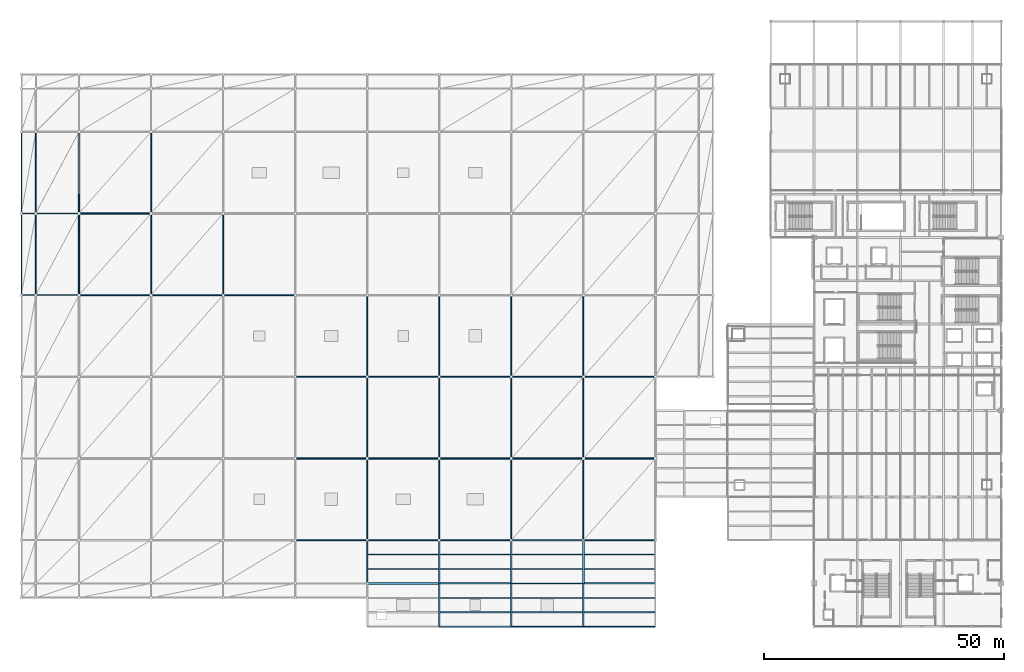
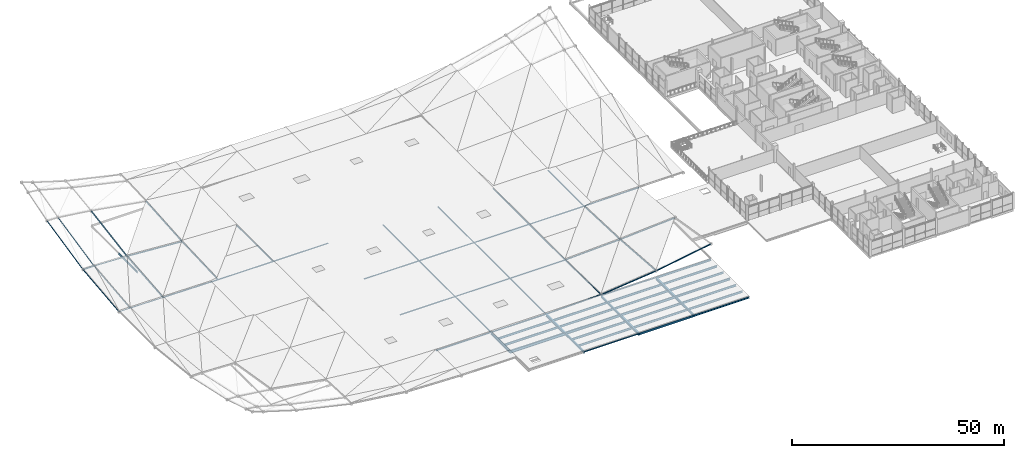
# One storey, part 11 of 69: 45 members, 31 beams.
"""IFC4 building model written with IfcOpenShell, lengths in metres."""

from ifc_helpers import new_model, si_unit, direction, frame, origin, origin_2d, place, context, subcontext, project, spatial, hollow_rectangle, hollow_circle, i_section, extrude, material, material_profile, profile_set, type_object, element, save


model = new_model("IFC4")

# Units and contexts
model_context = context("Model", 3, precision=1e-05, world=origin(), true_north=direction((0.0, 1.0)))
body_context = subcontext(model_context, "Body", "Model", "MODEL_VIEW")
ifc_project = project(units=[si_unit("LENGTHUNIT", "METRE"), si_unit("AREAUNIT", "SQUARE_METRE"), si_unit("VOLUMEUNIT", "CUBIC_METRE"), si_unit("PLANEANGLEUNIT", "RADIAN"), si_unit("MASSUNIT", "GRAM", prefix="KILO")], contexts=[model_context])

# Site, building, storey
site_placement = place(None, origin())
site = spatial("IfcSite", under=ifc_project, at=site_placement, CompositionType="ELEMENT")
building_placement = place(site_placement, origin())
building = spatial("IfcBuilding", under=site, at=building_placement, Name="Qamarlyn Nura Convention Centre", CompositionType="ELEMENT")
storey_placement = place(building_placement, frame((0.0, 0.0, 15.60009765625)))
storey = spatial("IfcBuildingStorey", under=building, at=storey_placement, Name="L03", CompositionType="ELEMENT", Elevation=15.60009765625)

# Beams
ifc_material_1 = material(Name="Steel ASTM A992", Category="steel")
ifc_material_profile_1 = material_profile(ifc_material_1, i_section(OverallWidth=0.323974609375, OverallDepth=0.611083984375, WebThickness=0.0126953125, FlangeThickness=0.01904296875, FilletRadius=0.01611328125, at=origin_2d()), Name="W610X155")
ifc_profile_set_1 = profile_set([ifc_material_profile_1], Name="Steel ASTM A992")
beam_type_1 = type_object("IfcBeamType", Name="BM-GIRD-610", PredefinedType="BEAM", material=ifc_profile_set_1)
beam_1_placement = place(storey_placement, frame((105.0, 9.0, -0.480712890625), z_axis=(1.0, 0.0, 0.0), x_axis=(0.0, 1.0, 0.0)))
element("IfcBeam", 1, at=beam_1_placement, inside=storey, type_object=beam_type_1, Name="L03 girder B 8-9", PredefinedType="BEAM", context=body_context, shape_type="SweptSolid", body=[
    extrude(i_section(OverallWidth=0.323974609375, OverallDepth=0.611083984375, WebThickness=0.0126953125, FlangeThickness=0.01904296875, FilletRadius=0.01611328125, at=origin_2d()), origin(), (0.0, 0.0, 1.0), 15.0),
])
for number, where, z_axis, x_axis, name in (
    (2, (75.0, 0.0, -0.480712890625), (0.0, 1.0, 0.0), (-1.0, 0.0, 0.0), "L03 girder 6 A-B"),
    (3, (105.0, 0.0, -0.480712890625), (0.0, 1.0, 0.0), (-1.0, 0.0, 0.0), "L03 girder 8 A-B"),
):
    element("IfcBeam", number, at=place(storey_placement, frame(where, z_axis=z_axis, x_axis=x_axis)), inside=storey, type_object=beam_type_1, Name=name, PredefinedType="BEAM", context=body_context, shape_type="SweptSolid", body=[
        extrude(i_section(OverallWidth=0.323974609375, OverallDepth=0.611083984375, WebThickness=0.0126953125, FlangeThickness=0.01904296875, FilletRadius=0.01611328125, at=origin_2d()), origin(), (0.0, 0.0, 1.0), 9.0),
    ])
ifc_material_profile_2 = material_profile(ifc_material_1, i_section(OverallWidth=0.35498046875, OverallDepth=0.695068359375, WebThickness=0.015380859375, FlangeThickness=0.02490234375, FilletRadius=0.01806640625, at=origin_2d()), Name="W690X217")
ifc_profile_set_2 = profile_set([ifc_material_profile_2], Name="Steel ASTM A992")
beam_type_2 = type_object("IfcBeamType", Name="BM-GIRD-690A", PredefinedType="BEAM", material=ifc_profile_set_2)
beam_2_placement = place(storey_placement, frame((75.0, 9.0, -0.522705078125), z_axis=(1.0, 0.0, 0.0), x_axis=(0.0, 1.0, 0.0)))
element("IfcBeam", 4, at=beam_2_placement, inside=storey, type_object=beam_type_2, Name="L03 girder B 6-7", PredefinedType="BEAM", context=body_context, shape_type="SweptSolid", body=[
    extrude(i_section(OverallWidth=0.35498046875, OverallDepth=0.695068359375, WebThickness=0.015380859375, FlangeThickness=0.02490234375, FilletRadius=0.01806640625, at=origin_2d()), origin(), (0.0, 0.0, 1.0), 15.0),
])
beam_3_placement = place(storey_placement, frame((90.0, 0.0, -0.522705078125), z_axis=(0.0, 1.0, 0.0), x_axis=(-1.0, 0.0, 0.0)))
element("IfcBeam", 5, at=beam_3_placement, inside=storey, type_object=beam_type_2, Name="L03 girder 7 A-B", PredefinedType="BEAM", context=body_context, shape_type="SweptSolid", body=[
    extrude(i_section(OverallWidth=0.35498046875, OverallDepth=0.695068359375, WebThickness=0.015380859375, FlangeThickness=0.02490234375, FilletRadius=0.01806640625, at=origin_2d()), origin(), (0.0, 0.0, 1.0), 9.0),
])
ifc_material_profile_3 = material_profile(ifc_material_1, i_section(OverallWidth=0.25390625, OverallDepth=0.68408203125, WebThickness=0.012451171875, FlangeThickness=0.01904296875, FilletRadius=0.01806640625, at=origin_2d()), Name="W690X140")
ifc_profile_set_3 = profile_set([ifc_material_profile_3], Name="Steel ASTM A992")
beam_type_3 = type_object("IfcBeamType", Name="BM-GIRD-690B", PredefinedType="BEAM", material=ifc_profile_set_3)
beam_4_placement = place(storey_placement, frame((90.0, 9.0, -0.51708984375), z_axis=(1.0, 0.0, 0.0), x_axis=(0.0, 1.0, 0.0)))
element("IfcBeam", 6, at=beam_4_placement, inside=storey, type_object=beam_type_3, Name="L03 girder B 7-8", PredefinedType="BEAM", context=body_context, shape_type="SweptSolid", body=[
    extrude(i_section(OverallWidth=0.25390625, OverallDepth=0.68408203125, WebThickness=0.012451171875, FlangeThickness=0.01904296875, FilletRadius=0.01806640625, at=origin_2d()), origin(), (0.0, 0.0, 1.0), 15.0),
])
for number, where, z_axis, x_axis, name in (
    (7, (60.0, 9.0, -0.567138671875), (0.0, 1.0, 0.0), (-1.0, 0.0, 0.0), "L03 girder 5 B-C"),
    (8, (90.0, 9.0, -0.51708984375), (0.0, 1.0, 0.0), (-1.0, 0.0, 0.0), "L03 girder 7 B-C"),
):
    element("IfcBeam", number, at=place(storey_placement, frame(where, z_axis=z_axis, x_axis=x_axis)), inside=storey, type_object=beam_type_3, Name=name, PredefinedType="BEAM", context=body_context, shape_type="SweptSolid", body=[
        extrude(i_section(OverallWidth=0.25390625, OverallDepth=0.68408203125, WebThickness=0.012451171875, FlangeThickness=0.01904296875, FilletRadius=0.01806640625, at=origin_2d()), origin(), (0.0, 0.0, 1.0), 9.0),
    ])
ifc_material_profile_4 = material_profile(ifc_material_1, i_section(OverallWidth=0.381103515625, OverallDepth=0.77294921875, WebThickness=0.0166015625, FlangeThickness=0.027587890625, FilletRadius=0.02001953125, at=origin_2d()), Name="W760X257")
ifc_profile_set_4 = profile_set([ifc_material_profile_4], Name="Steel ASTM A992")
beam_type_4 = type_object("IfcBeamType", Name="BM-GIRD-760", PredefinedType="BEAM", material=ifc_profile_set_4)
beam_5_placement = place(storey_placement, frame((60.0, 9.0, -0.5615234375), z_axis=(1.0, 0.0, 0.0), x_axis=(0.0, 1.0, 0.0)))
element("IfcBeam", 9, at=beam_5_placement, inside=storey, type_object=beam_type_4, Name="L03 girder B 5-6", PredefinedType="BEAM", context=body_context, shape_type="SweptSolid", body=[
    extrude(i_section(OverallWidth=0.381103515625, OverallDepth=0.77294921875, WebThickness=0.0166015625, FlangeThickness=0.027587890625, FilletRadius=0.02001953125, at=origin_2d()), origin(), (0.0, 0.0, 1.0), 15.0),
])
for number, where, z_axis, x_axis, name in (
    (10, (75.0, 9.0, -0.5615234375), (0.0, 1.0, 0.0), (-1.0, 0.0, 0.0), "L03 girder 6 B-C"),
    (11, (105.0, 9.0, -0.5615234375), (0.0, 1.0, 0.0), (-1.0, 0.0, 0.0), "L03 girder 8 B-C"),
):
    element("IfcBeam", number, at=place(storey_placement, frame(where, z_axis=z_axis, x_axis=x_axis)), inside=storey, type_object=beam_type_4, Name=name, PredefinedType="BEAM", context=body_context, shape_type="SweptSolid", body=[
        extrude(i_section(OverallWidth=0.381103515625, OverallDepth=0.77294921875, WebThickness=0.0166015625, FlangeThickness=0.027587890625, FilletRadius=0.02001953125, at=origin_2d()), origin(), (0.0, 0.0, 1.0), 9.0),
    ])
ifc_material_profile_5 = material_profile(ifc_material_1, i_section(OverallWidth=0.22802734375, OverallDepth=0.60791015625, WebThickness=0.01123046875, FlangeThickness=0.017333984375, FilletRadius=0.01611328125, at=origin_2d()), Name="W610X113")
ifc_profile_set_5 = profile_set([ifc_material_profile_5], Name="Steel ASTM A992")
beam_type_5 = type_object("IfcBeamType", Name="BM-JOIST-610", PredefinedType="JOIST", material=ifc_profile_set_5)
for number, where, z_axis, x_axis, name in (
    (12, (60.126953125, 12.0, -0.47900390625), (1.0, 0.0, 0.0), (0.0, 1.0, 0.0), "L03 composite joist 5-6/B+1"),
    (13, (60.126953125, 15.0, -0.47900390625), (1.0, 0.0, 0.0), (0.0, 1.0, 0.0), "L03 composite joist 5-6/B+2"),
):
    element("IfcBeam", number, at=place(storey_placement, frame(where, z_axis=z_axis, x_axis=x_axis)), inside=storey, type_object=beam_type_5, Name=name, PredefinedType="JOIST", context=body_context, shape_type="SweptSolid", body=[
        extrude(i_section(OverallWidth=0.22802734375, OverallDepth=0.60791015625, WebThickness=0.01123046875, FlangeThickness=0.017333984375, FilletRadius=0.01611328125, at=origin_2d()), origin(), (0.0, 0.0, 1.0), 14.6826171875),
    ])
for number, where, z_axis, x_axis, name in (
    (14, (75.162109375, 3.0, -0.47900390625), (1.0, 0.0, 0.0), (0.0, 1.0, 0.0), "L03 composite joist 6-7/A+1"),
    (15, (75.162109375, 6.0, -0.47900390625), (1.0, 0.0, 0.0), (0.0, 1.0, 0.0), "L03 composite joist 6-7/A+2"),
):
    element("IfcBeam", number, at=place(storey_placement, frame(where, z_axis=z_axis, x_axis=x_axis)), inside=storey, type_object=beam_type_5, Name=name, PredefinedType="JOIST", context=body_context, shape_type="SweptSolid", body=[
        extrude(i_section(OverallWidth=0.22802734375, OverallDepth=0.60791015625, WebThickness=0.01123046875, FlangeThickness=0.017333984375, FilletRadius=0.01611328125, at=origin_2d()), origin(), (0.0, 0.0, 1.0), 14.660400390625),
    ])
for number, where, z_axis, x_axis, name in (
    (16, (75.1904296875, 12.0, -0.47900390625), (1.0, 0.0, 0.0), (0.0, 1.0, 0.0), "L03 composite joist 6-7/B+1"),
    (17, (75.1904296875, 15.0, -0.47900390625), (1.0, 0.0, 0.0), (0.0, 1.0, 0.0), "L03 composite joist 6-7/B+2"),
):
    element("IfcBeam", number, at=place(storey_placement, frame(where, z_axis=z_axis, x_axis=x_axis)), inside=storey, type_object=beam_type_5, Name=name, PredefinedType="JOIST", context=body_context, shape_type="SweptSolid", body=[
        extrude(i_section(OverallWidth=0.22802734375, OverallDepth=0.60791015625, WebThickness=0.01123046875, FlangeThickness=0.017333984375, FilletRadius=0.01611328125, at=origin_2d()), origin(), (0.0, 0.0, 1.0), 14.6826171875),
    ])
for number, where, z_axis, x_axis, name in (
    (18, (90.177490234375, 3.0, -0.47900390625), (1.0, 0.0, 0.0), (0.0, 1.0, 0.0), "L03 composite joist 7-8/A+1"),
    (19, (90.177490234375, 6.0, -0.47900390625), (1.0, 0.0, 0.0), (0.0, 1.0, 0.0), "L03 composite joist 7-8/A+2"),
):
    element("IfcBeam", number, at=place(storey_placement, frame(where, z_axis=z_axis, x_axis=x_axis)), inside=storey, type_object=beam_type_5, Name=name, PredefinedType="JOIST", context=body_context, shape_type="SweptSolid", body=[
        extrude(i_section(OverallWidth=0.22802734375, OverallDepth=0.60791015625, WebThickness=0.01123046875, FlangeThickness=0.017333984375, FilletRadius=0.01611328125, at=origin_2d()), origin(), (0.0, 0.0, 1.0), 14.660400390625),
    ])
for number, where, z_axis, x_axis, name in (
    (20, (90.126953125, 12.0, -0.47900390625), (1.0, 0.0, 0.0), (0.0, 1.0, 0.0), "L03 composite joist 7-8/B+1"),
    (21, (90.126953125, 15.0, -0.47900390625), (1.0, 0.0, 0.0), (0.0, 1.0, 0.0), "L03 composite joist 7-8/B+2"),
):
    element("IfcBeam", number, at=place(storey_placement, frame(where, z_axis=z_axis, x_axis=x_axis)), inside=storey, type_object=beam_type_5, Name=name, PredefinedType="JOIST", context=body_context, shape_type="SweptSolid", body=[
        extrude(i_section(OverallWidth=0.22802734375, OverallDepth=0.60791015625, WebThickness=0.01123046875, FlangeThickness=0.017333984375, FilletRadius=0.01611328125, at=origin_2d()), origin(), (0.0, 0.0, 1.0), 14.6826171875),
    ])
for number, where, z_axis, x_axis, name in (
    (22, (105.162109375, 3.0, -0.47900390625), (1.0, 0.0, 0.0), (0.0, 1.0, 0.0), "L03 composite joist 8-9/A+1"),
    (23, (105.162109375, 6.0, -0.47900390625), (1.0, 0.0, 0.0), (0.0, 1.0, 0.0), "L03 composite joist 8-9/A+2"),
):
    element("IfcBeam", number, at=place(storey_placement, frame(where, z_axis=z_axis, x_axis=x_axis)), inside=storey, type_object=beam_type_5, Name=name, PredefinedType="JOIST", context=body_context, shape_type="SweptSolid", body=[
        extrude(i_section(OverallWidth=0.22802734375, OverallDepth=0.60791015625, WebThickness=0.01123046875, FlangeThickness=0.017333984375, FilletRadius=0.01611328125, at=origin_2d()), origin(), (0.0, 0.0, 1.0), 14.741455078125),
    ])
for number, where, z_axis, x_axis, name in (
    (24, (105.1904296875, 12.0, -0.47900390625), (1.0, 0.0, 0.0), (0.0, 1.0, 0.0), "L03 composite joist 8-9/B+1"),
    (25, (105.1904296875, 15.0, -0.47900390625), (1.0, 0.0, 0.0), (0.0, 1.0, 0.0), "L03 composite joist 8-9/B+2"),
):
    element("IfcBeam", number, at=place(storey_placement, frame(where, z_axis=z_axis, x_axis=x_axis)), inside=storey, type_object=beam_type_5, Name=name, PredefinedType="JOIST", context=body_context, shape_type="SweptSolid", body=[
        extrude(i_section(OverallWidth=0.22802734375, OverallDepth=0.60791015625, WebThickness=0.01123046875, FlangeThickness=0.017333984375, FilletRadius=0.01611328125, at=origin_2d()), origin(), (0.0, 0.0, 1.0), 14.70947265625),
    ])
ifc_material_profile_6 = material_profile(ifc_material_1, i_section(OverallWidth=0.193115234375, OverallDepth=0.466064453125, WebThickness=0.011474609375, FlangeThickness=0.01904296875, FilletRadius=0.012939453125, at=origin_2d()), Name="W460X97")
ifc_profile_set_6 = profile_set([ifc_material_profile_6], Name="Steel ASTM A992")
beam_type_6 = type_object("IfcBeamType", Name="BM-SPAN-460", PredefinedType="SPANDREL", material=ifc_profile_set_6)
beam_6_placement = place(storey_placement, frame((105.0, 0.0, -0.408203125), z_axis=(1.0, 0.0, 0.0), x_axis=(0.0, 1.0, 0.0)))
element("IfcBeam", 26, at=beam_6_placement, inside=storey, type_object=beam_type_6, Name="L03 girder A 8-9", PredefinedType="SPANDREL", context=body_context, shape_type="SweptSolid", body=[
    extrude(i_section(OverallWidth=0.193115234375, OverallDepth=0.466064453125, WebThickness=0.011474609375, FlangeThickness=0.01904296875, FilletRadius=0.012939453125, at=origin_2d()), origin(), (0.0, 0.0, 1.0), 15.0),
])
ifc_material_profile_7 = material_profile(ifc_material_1, i_section(OverallWidth=0.2109375, OverallDepth=0.5390625, WebThickness=0.01171875, FlangeThickness=0.018798828125, FilletRadius=0.013916015625, at=origin_2d()), Name="W530X109")
ifc_profile_set_7 = profile_set([ifc_material_profile_7], Name="Steel ASTM A992")
beam_type_7 = type_object("IfcBeamType", Name="BM-SPAN-530", PredefinedType="SPANDREL", material=ifc_profile_set_7)
for number, where, z_axis, x_axis, name in (
    (27, (90.0, 0.0, -0.444580078125), (1.0, 0.0, 0.0), (0.0, 1.0, 0.0), "L03 girder A 7-8"),
    (28, (105.0, 18.0, -0.444580078125), (1.0, 0.0, 0.0), (0.0, 1.0, 0.0), "L03 girder C 8-9"),
):
    element("IfcBeam", number, at=place(storey_placement, frame(where, z_axis=z_axis, x_axis=x_axis)), inside=storey, type_object=beam_type_7, Name=name, PredefinedType="SPANDREL", context=body_context, shape_type="SweptSolid", body=[
        extrude(i_section(OverallWidth=0.2109375, OverallDepth=0.5390625, WebThickness=0.01171875, FlangeThickness=0.018798828125, FilletRadius=0.013916015625, at=origin_2d()), origin(), (0.0, 0.0, 1.0), 15.0),
    ])
beam_7_placement = place(storey_placement, frame((0.0, 81.0, -0.26953125), z_axis=(0.0, 1.0, 0.0), x_axis=(-1.0, 0.0, 0.0)))
element("IfcBeam", 29, at=beam_7_placement, inside=storey, type_object=beam_type_7, Name="L03 girder 1 K-L", PredefinedType="SPANDREL", context=body_context, shape_type="SweptSolid", body=[
    extrude(i_section(OverallWidth=0.2109375, OverallDepth=0.5390625, WebThickness=0.01171875, FlangeThickness=0.018798828125, FilletRadius=0.013916015625, at=origin_2d()), origin(), (0.0, 0.0, 1.0), 9.0),
])
ifc_material_2 = material(Name="Steel ASTM A500 Grade C", Category="steel")
ifc_material_profile_8 = material_profile(ifc_material_2, hollow_rectangle(XDim=0.199951171875, YDim=0.300048828125, WallThickness=0.012451171875, InnerFilletRadius=0.012451171875, OuterFilletRadius=0.02490234375, at=origin_2d()), Name="HSS300X200X12.5")
ifc_profile_set_8 = profile_set([ifc_material_profile_8], Name="Steel ASTM A500 Grade C")
beam_type_8 = type_object("IfcBeamType", Name="BM-SPAN-HSS", PredefinedType="SPANDREL", material=ifc_profile_set_8)
for number, where, z_axis, x_axis, name in (
    (30, (75.0, 0.0, -0.3251953125), (1.0, 0.0, 0.0), (0.0, 1.0, 0.0), "L03 girder A 6-7"),
    (31, (90.0, 18.0, -0.3251953125), (1.0, 0.0, 0.0), (0.0, 1.0, 0.0), "L03 girder C 7-8"),
):
    element("IfcBeam", number, at=place(storey_placement, frame(where, z_axis=z_axis, x_axis=x_axis)), inside=storey, type_object=beam_type_8, Name=name, PredefinedType="SPANDREL", context=body_context, shape_type="SweptSolid", body=[
        extrude(hollow_rectangle(XDim=0.199951171875, YDim=0.300048828125, WallThickness=0.012451171875, InnerFilletRadius=0.012451171875, OuterFilletRadius=0.02490234375, at=origin_2d()), origin(), (0.0, 0.0, 1.0), 15.0),
    ])

# Members
ifc_material_3 = material(Name="Pearl-white PVDF steel ASTM A500 Grade C", Category="steel")
ifc_material_profile_9 = material_profile(ifc_material_3, hollow_circle(Radius=0.122314453125, WallThickness=0.010009765625, at=origin_2d()), Name="CHS244.5X10")
ifc_profile_set_9 = profile_set([ifc_material_profile_9], Name="Pearl-white PVDF steel ASTM A500 Grade C")
member_type_1 = type_object("IfcMemberType", Name="SF-TC-EAVE", PredefinedType="CHORD", material=ifc_profile_set_9)
member_1_placement = place(storey_placement, frame((-12.0, 69.0, -0.189453125), z_axis=(0.999998539689, 0.0, -0.001708981879), x_axis=(0.0, 1.0, 0.0)))
element("IfcMember", 32, at=member_1_placement, inside=storey, type_object=member_type_1, Name="ROOF TRUSS space frame top chord X0-5", PredefinedType="CHORD", context=body_context, shape_type="SweptSolid", body=[
    extrude(hollow_circle(Radius=0.122314453125, WallThickness=0.010009765625, at=origin_2d()), origin(), (0.0, 0.0, 1.0), 3.0),
])
member_2_placement = place(storey_placement, frame((-9.0, 69.0, -0.194580078125), z_axis=(0.999971361199, 0.0, -0.007568142626), x_axis=(0.0, 1.0, 0.0)))
element("IfcMember", 33, at=member_2_placement, inside=storey, type_object=member_type_1, Name="ROOF TRUSS space frame top chord X1-5", PredefinedType="CHORD", context=body_context, shape_type="SweptSolid", body=[
    extrude(hollow_circle(Radius=0.122314453125, WallThickness=0.010009765625, at=origin_2d()), origin(), (0.0, 0.0, 1.0), 9.000244140625),
])
member_3_placement = place(storey_placement, frame((-12.0, 86.0, 1.657470703125), z_axis=(0.999964186155, 0.0, -0.008463238555), x_axis=(0.0, 1.0, 0.0)))
element("IfcMember", 34, at=member_3_placement, inside=storey, type_object=member_type_1, Name="ROOF TRUSS space frame top chord X0-6", PredefinedType="CHORD", context=body_context, shape_type="SweptSolid", body=[
    extrude(hollow_circle(Radius=0.122314453125, WallThickness=0.010009765625, at=origin_2d()), origin(), (0.0, 0.0, 1.0), 3.0),
])
member_4_placement = place(storey_placement, frame((-9.0, 86.0, 1.632080078125), z_axis=(0.999251614623, 0.0, -0.038680882543), x_axis=(0.0, 1.0, 0.0)))
element("IfcMember", 35, at=member_4_placement, inside=storey, type_object=member_type_1, Name="ROOF TRUSS space frame top chord X1-6", PredefinedType="CHORD", context=body_context, shape_type="SweptSolid", body=[
    extrude(hollow_circle(Radius=0.122314453125, WallThickness=0.010009765625, at=origin_2d()), origin(), (0.0, 0.0, 1.0), 9.0068359375),
])
member_5_placement = place(storey_placement, frame((-12.0, 69.0, -0.189453125), z_axis=(0.0, 0.994150129904, 0.108007033156), x_axis=(-1.0, 0.0, 0.0)))
element("IfcMember", 36, at=member_5_placement, inside=storey, type_object=member_type_1, Name="ROOF TRUSS space frame top chord Y0-5", PredefinedType="CHORD", context=body_context, shape_type="SweptSolid", body=[
    extrude(hollow_circle(Radius=0.122314453125, WallThickness=0.010009765625, at=origin_2d()), origin(), (0.0, 0.0, 1.0), 17.10009765625),
])
member_6_placement = place(storey_placement, frame((-12.0, 86.0, 1.657470703125), z_axis=(0.0, 0.976526723381, 0.21539628252), x_axis=(-1.0, 0.0, 0.0)))
element("IfcMember", 37, at=member_6_placement, inside=storey, type_object=member_type_1, Name="ROOF TRUSS space frame top chord Y0-6", PredefinedType="CHORD", context=body_context, shape_type="SweptSolid", body=[
    extrude(hollow_circle(Radius=0.122314453125, WallThickness=0.010009765625, at=origin_2d()), origin(), (0.0, 0.0, 1.0), 17.40869140625),
])
member_7_placement = place(storey_placement, frame((-9.0, 69.0, -0.194580078125), z_axis=(0.0, 0.994276696509, 0.106835625047), x_axis=(-1.0, 0.0, 0.0)))
element("IfcMember", 38, at=member_7_placement, inside=storey, type_object=member_type_1, Name="ROOF TRUSS space frame top chord Y1-5", PredefinedType="CHORD", context=body_context, shape_type="SweptSolid", body=[
    extrude(hollow_circle(Radius=0.122314453125, WallThickness=0.010009765625, at=origin_2d()), origin(), (0.0, 0.0, 1.0), 17.097900390625),
])
member_8_placement = place(storey_placement, frame((-9.0, 86.0, 1.632080078125), z_axis=(0.0, 0.977439000532, 0.211217897533), x_axis=(-1.0, 0.0, 0.0)))
element("IfcMember", 39, at=member_8_placement, inside=storey, type_object=member_type_1, Name="ROOF TRUSS space frame top chord Y1-6", PredefinedType="CHORD", context=body_context, shape_type="SweptSolid", body=[
    extrude(hollow_circle(Radius=0.122314453125, WallThickness=0.010009765625, at=origin_2d()), origin(), (0.0, 0.0, 1.0), 17.392333984375),
])
member_9_placement = place(storey_placement, frame((60.0, 9.0, -0.400146484375), z_axis=(0.0, 1.0, 0.0), x_axis=(-1.0, 0.0, 0.0)))
element("IfcMember", 40, at=member_9_placement, inside=storey, type_object=member_type_1, Name="ROOF TRUSS space frame top chord Y6-1", PredefinedType="CHORD", context=body_context, shape_type="SweptSolid", body=[
    extrude(hollow_circle(Radius=0.122314453125, WallThickness=0.010009765625, at=origin_2d()), origin(), (0.0, 0.0, 1.0), 9.0),
])
ifc_material_profile_10 = material_profile(ifc_material_3, hollow_circle(Radius=0.177734375, WallThickness=0.01611328125, at=origin_2d()), Name="CHS355.6X16")
ifc_profile_set_10 = profile_set([ifc_material_profile_10], Name="Pearl-white PVDF steel ASTM A500 Grade C")
member_type_2 = type_object("IfcMemberType", Name="SF-TC-HEAVY", PredefinedType="CHORD", material=ifc_profile_set_10)
for number, where, z_axis, x_axis, name in (
    (41, (45.0, 18.0, -0.400146484375), (1.0, 0.0, 0.0), (0.0, 1.0, 0.0), "ROOF TRUSS space frame top chord X5-2"),
    (42, (60.0, 18.0, -0.400146484375), (1.0, 0.0, 0.0), (0.0, 1.0, 0.0), "ROOF TRUSS space frame top chord X6-2"),
):
    element("IfcMember", number, at=place(storey_placement, frame(where, z_axis=z_axis, x_axis=x_axis)), inside=storey, type_object=member_type_2, Name=name, PredefinedType="CHORD", context=body_context, shape_type="SweptSolid", body=[
        extrude(hollow_circle(Radius=0.177734375, WallThickness=0.01611328125, at=origin_2d()), origin(), (0.0, 0.0, 1.0), 15.0),
    ])
member_10_placement = place(storey_placement, frame((75.0, 18.0, -0.400146484375), z_axis=(0.999726977409, 0.0, 0.023366014641), x_axis=(0.0, 1.0, 0.0)))
element("IfcMember", 43, at=member_10_placement, inside=storey, type_object=member_type_2, Name="ROOF TRUSS space frame top chord X7-2", PredefinedType="CHORD", context=body_context, shape_type="SweptSolid", body=[
    extrude(hollow_circle(Radius=0.177734375, WallThickness=0.01611328125, at=origin_2d()), origin(), (0.0, 0.0, 1.0), 15.004150390625),
])
member_11_placement = place(storey_placement, frame((90.0, 18.0, -0.049560546875), z_axis=(0.994231511141, 0.0, 0.107255313409), x_axis=(0.0, 1.0, 0.0)))
element("IfcMember", 44, at=member_11_placement, inside=storey, type_object=member_type_2, Name="ROOF TRUSS space frame top chord X8-2", PredefinedType="CHORD", context=body_context, shape_type="SweptSolid", body=[
    extrude(hollow_circle(Radius=0.177734375, WallThickness=0.01611328125, at=origin_2d()), origin(), (0.0, 0.0, 1.0), 15.0869140625),
])
member_12_placement = place(storey_placement, frame((105.0, 18.0, 1.568603515625), z_axis=(0.985905647627, 0.0, 0.167302283238), x_axis=(0.0, 1.0, 0.0)))
element("IfcMember", 45, at=member_12_placement, inside=storey, type_object=member_type_2, Name="ROOF TRUSS space frame top chord X9-2", PredefinedType="CHORD", context=body_context, shape_type="SweptSolid", body=[
    extrude(hollow_circle(Radius=0.177734375, WallThickness=0.01611328125, at=origin_2d()), origin(), (0.0, 0.0, 1.0), 15.21435546875),
])
member_13_placement = place(storey_placement, frame((0.0, 69.0, -0.2626953125), z_axis=(0.0, 0.995888281299, 0.090589906562), x_axis=(-1.0, 0.0, 0.0)))
element("IfcMember", 46, at=member_13_placement, inside=storey, type_object=member_type_2, Name="ROOF TRUSS space frame top chord Y2-5", PredefinedType="CHORD", context=body_context, shape_type="SweptSolid", body=[
    extrude(hollow_circle(Radius=0.177734375, WallThickness=0.01611328125, at=origin_2d()), origin(), (0.0, 0.0, 1.0), 17.070068359375),
])
member_14_placement = place(storey_placement, frame((0.0, 86.0, 1.28369140625), z_axis=(0.0, 0.986422241624, 0.164228990222), x_axis=(-1.0, 0.0, 0.0)))
element("IfcMember", 47, at=member_14_placement, inside=storey, type_object=member_type_2, Name="ROOF TRUSS space frame top chord Y2-6", PredefinedType="CHORD", context=body_context, shape_type="SweptSolid", body=[
    extrude(hollow_circle(Radius=0.177734375, WallThickness=0.01611328125, at=origin_2d()), origin(), (0.0, 0.0, 1.0), 17.23388671875),
])
ifc_material_profile_11 = material_profile(ifc_material_3, hollow_circle(Radius=0.161865234375, WallThickness=0.012451171875, at=origin_2d()), Name="CHS323.9X12.5")
ifc_profile_set_11 = profile_set([ifc_material_profile_11], Name="Pearl-white PVDF steel ASTM A500 Grade C")
member_type_3 = type_object("IfcMemberType", Name="SF-TC-MAIN", PredefinedType="CHORD", material=ifc_profile_set_11)
for number, where, z_axis, x_axis, name in (
    (48, (45.0, 35.0, -0.400146484375), (1.0, 0.0, 0.0), (0.0, 1.0, 0.0), "ROOF TRUSS space frame top chord X5-3"),
    (49, (60.0, 35.0, -0.400146484375), (1.0, 0.0, 0.0), (0.0, 1.0, 0.0), "ROOF TRUSS space frame top chord X6-3"),
    (50, (75.0, 35.0, -0.400146484375), (0.999998124313, 0.0, 0.001936845325), (0.0, 1.0, 0.0), "ROOF TRUSS space frame top chord X7-3"),
):
    element("IfcMember", number, at=place(storey_placement, frame(where, z_axis=z_axis, x_axis=x_axis)), inside=storey, type_object=member_type_3, Name=name, PredefinedType="CHORD", context=body_context, shape_type="SweptSolid", body=[
        extrude(hollow_circle(Radius=0.161865234375, WallThickness=0.012451171875, at=origin_2d()), origin(), (0.0, 0.0, 1.0), 15.0),
    ])
member_15_placement = place(storey_placement, frame((90.0, 35.0, -0.37109375), z_axis=(0.999057783726, 0.0, 0.043399824622), x_axis=(0.0, 1.0, 0.0)))
element("IfcMember", 51, at=member_15_placement, inside=storey, type_object=member_type_3, Name="ROOF TRUSS space frame top chord X8-3", PredefinedType="CHORD", context=body_context, shape_type="SweptSolid", body=[
    extrude(hollow_circle(Radius=0.161865234375, WallThickness=0.012451171875, at=origin_2d()), origin(), (0.0, 0.0, 1.0), 15.01416015625),
])
member_16_placement = place(storey_placement, frame((105.0, 35.0, 0.280517578125), z_axis=(0.997771123533, 0.0, 0.066729191839), x_axis=(0.0, 1.0, 0.0)))
element("IfcMember", 52, at=member_16_placement, inside=storey, type_object=member_type_3, Name="ROOF TRUSS space frame top chord X9-3", PredefinedType="CHORD", context=body_context, shape_type="SweptSolid", body=[
    extrude(hollow_circle(Radius=0.161865234375, WallThickness=0.012451171875, at=origin_2d()), origin(), (0.0, 0.0, 1.0), 15.033447265625),
])
for number, where, z_axis, x_axis, name in (
    (53, (45.0, 52.0, -0.400146484375), (1.0, 0.0, 0.0), (0.0, 1.0, 0.0), "ROOF TRUSS space frame top chord X5-4"),
    (54, (60.0, 52.0, -0.400146484375), (1.0, 0.0, 0.0), (0.0, 1.0, 0.0), "ROOF TRUSS space frame top chord X6-4"),
    (55, (75.0, 52.0, -0.400146484375), (1.0, 0.0, 0.0), (0.0, 1.0, 0.0), "ROOF TRUSS space frame top chord X7-4"),
    (56, (90.0, 52.0, -0.400146484375), (0.999999995232, 0.0, 9.765625e-05), (0.0, 1.0, 0.0), "ROOF TRUSS space frame top chord X8-4"),
):
    element("IfcMember", number, at=place(storey_placement, frame(where, z_axis=z_axis, x_axis=x_axis)), inside=storey, type_object=member_type_3, Name=name, PredefinedType="CHORD", context=body_context, shape_type="SweptSolid", body=[
        extrude(hollow_circle(Radius=0.161865234375, WallThickness=0.012451171875, at=origin_2d()), origin(), (0.0, 0.0, 1.0), 15.0),
    ])
for number, where, z_axis, x_axis, name in (
    (57, (105.0, 52.0, -0.398681640625), (0.999958908574, 0.0, 0.009065382684), (0.0, 1.0, 0.0), "ROOF TRUSS space frame top chord X9-4"),
    (58, (0.0, 69.0, -0.2626953125), (0.999958908574, 0.0, -0.009065382684), (0.0, 1.0, 0.0), "ROOF TRUSS space frame top chord X2-5"),
):
    element("IfcMember", number, at=place(storey_placement, frame(where, z_axis=z_axis, x_axis=x_axis)), inside=storey, type_object=member_type_3, Name=name, PredefinedType="CHORD", context=body_context, shape_type="SweptSolid", body=[
        extrude(hollow_circle(Radius=0.161865234375, WallThickness=0.012451171875, at=origin_2d()), origin(), (0.0, 0.0, 1.0), 15.000732421875),
    ])
for number, where, z_axis, x_axis, name in (
    (59, (15.0, 69.0, -0.398681640625), (0.999999995232, 0.0, -9.765625e-05), (0.0, 1.0, 0.0), "ROOF TRUSS space frame top chord X3-5"),
    (60, (30.0, 69.0, -0.400146484375), (1.0, 0.0, 0.0), (0.0, 1.0, 0.0), "ROOF TRUSS space frame top chord X4-5"),
):
    element("IfcMember", number, at=place(storey_placement, frame(where, z_axis=z_axis, x_axis=x_axis)), inside=storey, type_object=member_type_3, Name=name, PredefinedType="CHORD", context=body_context, shape_type="SweptSolid", body=[
        extrude(hollow_circle(Radius=0.161865234375, WallThickness=0.012451171875, at=origin_2d()), origin(), (0.0, 0.0, 1.0), 15.0),
    ])
member_17_placement = place(storey_placement, frame((0.0, 86.0, 1.28369140625), z_axis=(0.997771123533, 0.0, -0.066729191839), x_axis=(0.0, 1.0, 0.0)))
element("IfcMember", 61, at=member_17_placement, inside=storey, type_object=member_type_3, Name="ROOF TRUSS space frame top chord X2-6", PredefinedType="CHORD", context=body_context, shape_type="SweptSolid", body=[
    extrude(hollow_circle(Radius=0.161865234375, WallThickness=0.012451171875, at=origin_2d()), origin(), (0.0, 0.0, 1.0), 15.033447265625),
])
member_18_placement = place(storey_placement, frame((15.0, 69.0, -0.398681640625), z_axis=(0.0, 0.999202837298, 0.039921046263), x_axis=(-1.0, 0.0, 0.0)))
element("IfcMember", 62, at=member_18_placement, inside=storey, type_object=member_type_3, Name="ROOF TRUSS space frame top chord Y3-5", PredefinedType="CHORD", context=body_context, shape_type="SweptSolid", body=[
    extrude(hollow_circle(Radius=0.161865234375, WallThickness=0.012451171875, at=origin_2d()), origin(), (0.0, 0.0, 1.0), 17.013671875),
])
member_19_placement = place(storey_placement, frame((15.0, 86.0, 0.280517578125), z_axis=(0.0, 0.997141772719, 0.075553193831), x_axis=(-1.0, 0.0, 0.0)))
element("IfcMember", 63, at=member_19_placement, inside=storey, type_object=member_type_3, Name="ROOF TRUSS space frame top chord Y3-6", PredefinedType="CHORD", context=body_context, shape_type="SweptSolid", body=[
    extrude(hollow_circle(Radius=0.161865234375, WallThickness=0.012451171875, at=origin_2d()), origin(), (0.0, 0.0, 1.0), 17.048828125),
])
for number, where, z_axis, x_axis, name in (
    (64, (30.0, 69.0, -0.400146484375), (0.0, 0.999998539689, 0.001708981879), (-1.0, 0.0, 0.0), "ROOF TRUSS space frame top chord Y4-5"),
    (65, (60.0, 18.0, -0.400146484375), (0.0, 1.0, 0.0), (-1.0, 0.0, 0.0), "ROOF TRUSS space frame top chord Y6-2"),
    (66, (60.0, 35.0, -0.400146484375), (0.0, 1.0, 0.0), (-1.0, 0.0, 0.0), "ROOF TRUSS space frame top chord Y6-3"),
    (67, (60.0, 52.0, -0.400146484375), (0.0, 1.0, 0.0), (-1.0, 0.0, 0.0), "ROOF TRUSS space frame top chord Y6-4"),
    (68, (75.0, 18.0, -0.400146484375), (0.0, 1.0, 0.0), (-1.0, 0.0, 0.0), "ROOF TRUSS space frame top chord Y7-2"),
    (69, (75.0, 35.0, -0.400146484375), (0.0, 1.0, 0.0), (-1.0, 0.0, 0.0), "ROOF TRUSS space frame top chord Y7-3"),
    (70, (75.0, 52.0, -0.400146484375), (0.0, 1.0, 0.0), (-1.0, 0.0, 0.0), "ROOF TRUSS space frame top chord Y7-4"),
):
    element("IfcMember", number, at=place(storey_placement, frame(where, z_axis=z_axis, x_axis=x_axis)), inside=storey, type_object=member_type_3, Name=name, PredefinedType="CHORD", context=body_context, shape_type="SweptSolid", body=[
        extrude(hollow_circle(Radius=0.161865234375, WallThickness=0.012451171875, at=origin_2d()), origin(), (0.0, 0.0, 1.0), 17.0),
    ])
member_20_placement = place(storey_placement, frame((90.0, 18.0, -0.049560546875), z_axis=(0.0, 0.999821183613, -0.018910335748), x_axis=(-1.0, 0.0, 0.0)))
element("IfcMember", 71, at=member_20_placement, inside=storey, type_object=member_type_3, Name="ROOF TRUSS space frame top chord Y8-2", PredefinedType="CHORD", context=body_context, shape_type="SweptSolid", body=[
    extrude(hollow_circle(Radius=0.161865234375, WallThickness=0.012451171875, at=origin_2d()), origin(), (0.0, 0.0, 1.0), 17.0029296875),
])
for number, where, z_axis, x_axis, name in (
    (72, (90.0, 35.0, -0.37109375), (0.0, 0.999998539689, -0.001708981879), (-1.0, 0.0, 0.0), "ROOF TRUSS space frame top chord Y8-3"),
    (73, (90.0, 52.0, -0.400146484375), (0.0, 1.0, 0.0), (-1.0, 0.0, 0.0), "ROOF TRUSS space frame top chord Y8-4"),
):
    element("IfcMember", number, at=place(storey_placement, frame(where, z_axis=z_axis, x_axis=x_axis)), inside=storey, type_object=member_type_3, Name=name, PredefinedType="CHORD", context=body_context, shape_type="SweptSolid", body=[
        extrude(hollow_circle(Radius=0.161865234375, WallThickness=0.012451171875, at=origin_2d()), origin(), (0.0, 0.0, 1.0), 17.0),
    ])
member_21_placement = place(storey_placement, frame((105.0, 18.0, 1.568603515625), z_axis=(0.0, 0.997141772719, -0.075553193831), x_axis=(-1.0, 0.0, 0.0)))
element("IfcMember", 74, at=member_21_placement, inside=storey, type_object=member_type_3, Name="ROOF TRUSS space frame top chord Y9-2", PredefinedType="CHORD", context=body_context, shape_type="SweptSolid", body=[
    extrude(hollow_circle(Radius=0.161865234375, WallThickness=0.012451171875, at=origin_2d()), origin(), (0.0, 0.0, 1.0), 17.048828125),
])
member_22_placement = place(storey_placement, frame((105.0, 35.0, 0.280517578125), z_axis=(0.0, 0.999202837298, -0.039921046263), x_axis=(-1.0, 0.0, 0.0)))
element("IfcMember", 75, at=member_22_placement, inside=storey, type_object=member_type_3, Name="ROOF TRUSS space frame top chord Y9-3", PredefinedType="CHORD", context=body_context, shape_type="SweptSolid", body=[
    extrude(hollow_circle(Radius=0.161865234375, WallThickness=0.012451171875, at=origin_2d()), origin(), (0.0, 0.0, 1.0), 17.013671875),
])
member_23_placement = place(storey_placement, frame((105.0, 52.0, -0.398681640625), z_axis=(0.0, 1.0, 0.0), x_axis=(-1.0, 0.0, 0.0)))
element("IfcMember", 76, at=member_23_placement, inside=storey, type_object=member_type_3, Name="ROOF TRUSS space frame top chord Y9-4", PredefinedType="CHORD", context=body_context, shape_type="SweptSolid", body=[
    extrude(hollow_circle(Radius=0.161865234375, WallThickness=0.012451171875, at=origin_2d()), origin(), (0.0, 0.0, 1.0), 17.0),
])

save(model, "model.ifc")
